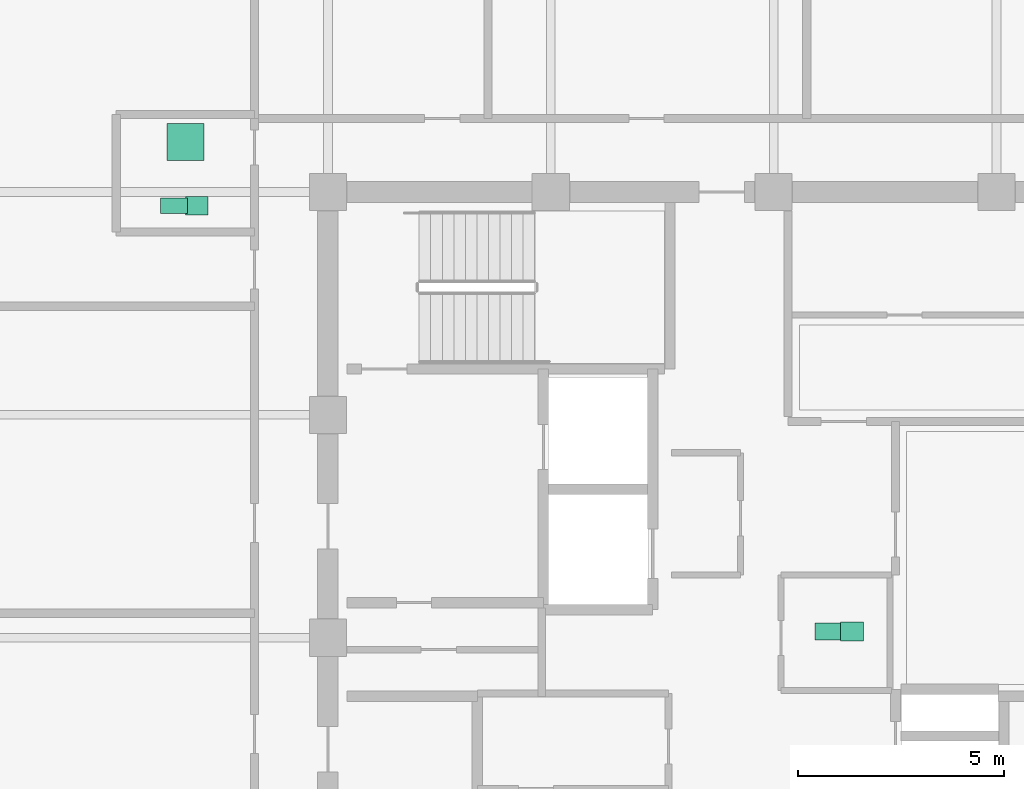
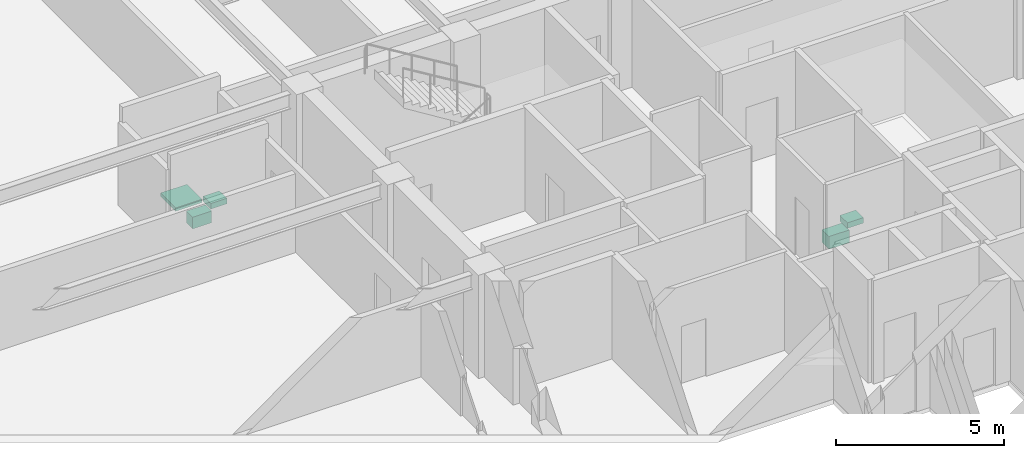
# One storey, part 31 of 31: 5 sanitary terminals.
"""IFC4 building model written with IfcOpenShell, lengths in metres."""

from ifc_helpers import new_model, si_unit, direction, frame, origin, origin_2d, place, context, subcontext, project, spatial, rectangle, extrude, material, type_object, element, save


model = new_model("IFC4")

# Units and contexts
model_context = context("Model", 3, precision=1e-05, world=origin(), true_north=direction((0.0, 1.0)))
body_context = subcontext(model_context, "Body", "Model", "MODEL_VIEW")
ifc_project = project(units=[si_unit("LENGTHUNIT", "METRE"), si_unit("AREAUNIT", "SQUARE_METRE"), si_unit("VOLUMEUNIT", "CUBIC_METRE"), si_unit("PLANEANGLEUNIT", "RADIAN"), si_unit("MASSUNIT", "GRAM", prefix="KILO")], contexts=[model_context])

# Site, building, storey
site_placement = place(None, origin())
site = spatial("IfcSite", under=ifc_project, at=site_placement, CompositionType="ELEMENT")
building_placement = place(site_placement, origin())
building = spatial("IfcBuilding", under=site, at=building_placement, Name="Surkhivell Harbour Commons", CompositionType="ELEMENT")
storey_placement = place(building_placement, frame((0.0, 0.0, 270.0)))
storey = spatial("IfcBuildingStorey", under=building, at=storey_placement, Name="L70", CompositionType="ELEMENT", Elevation=270.0)

# Sanitary terminals
ifc_material_1 = material(Name="Vitreous china washbasin", Category="other")
sanitary_terminal_type_1 = type_object("IfcSanitaryTerminalType", Name="SAN-BSN", PredefinedType="WASHHANDBASIN", material=ifc_material_1)
for number, where, z_axis, x_axis, name in (
    (1, (1.89990234375, 0.14990234375, 0.72021484375), (0.0, 0.0, 1.0), (1.0, 0.0, 0.0), "L70 Core Accessible WC Washbasin"),
    (2, (-13.97998046875, 10.469970703125, 0.72021484375), (0.0, 0.0, 1.0), (1.0, 0.0, 0.0), "L70 West Communal Bathroom WC Washbasin"),
):
    element("IfcSanitaryTerminal", number, at=place(storey_placement, frame(where, z_axis=z_axis, x_axis=x_axis)), inside=storey, type_object=sanitary_terminal_type_1, Name=name, PredefinedType="WASHHANDBASIN", context=body_context, shape_type="SweptSolid", body=[
        extrude(rectangle(XDim=0.550048828125, YDim=0.449951171875, at=origin_2d()), origin(), (0.0, 0.0, 1.0), 0.199951171875),
    ])
ifc_material_2 = material(Name="Glazed porcelain shower tray", Category="other")
sanitary_terminal_type_2 = type_object("IfcSanitaryTerminalType", Name="SAN-SHW", PredefinedType="SHOWER", material=ifc_material_2)
sanitary_terminal_1_placement = place(storey_placement, frame((-14.25, 12.010009765625, 0.0), z_axis=(0.0, 0.0, 1.0), x_axis=(1.0, 0.0, 0.0)))
element("IfcSanitaryTerminal", 3, at=sanitary_terminal_1_placement, inside=storey, type_object=sanitary_terminal_type_2, Name="L70 West Communal Shower Tray", PredefinedType="SHOWER", context=body_context, shape_type="SweptSolid", body=[
    extrude(rectangle(XDim=0.89990234375, YDim=0.89990234375, at=origin_2d()), origin(), (0.0, 0.0, 1.0), 0.1201171875),
])
ifc_material_3 = material(Name="Vitreous china sanitaryware", Category="other")
sanitary_terminal_type_3 = type_object("IfcSanitaryTerminalType", Name="SAN-WC-ACC", PredefinedType="TOILETPAN", material=ifc_material_3)
sanitary_terminal_2_placement = place(storey_placement, frame((1.35009765625, 0.14990234375, 0.169921875), z_axis=(0.0, 0.0, 1.0), x_axis=(1.0, 0.0, 0.0)))
element("IfcSanitaryTerminal", 4, at=sanitary_terminal_2_placement, inside=storey, type_object=sanitary_terminal_type_3, Name="L70 Core Accessible WC", PredefinedType="TOILETPAN", context=body_context, shape_type="SweptSolid", body=[
    extrude(rectangle(XDim=0.699951171875, YDim=0.419921875, at=origin_2d()), origin(), (0.0, 0.0, 1.0), 0.4599609375),
])
sanitary_terminal_type_4 = type_object("IfcSanitaryTerminalType", Name="SAN-WC-STD", PredefinedType="TOILETPAN", material=ifc_material_3)
sanitary_terminal_3_placement = place(storey_placement, frame((-14.530029296875, 10.469970703125, 0.18994140625), z_axis=(0.0, 0.0, 1.0), x_axis=(1.0, 0.0, 0.0)))
element("IfcSanitaryTerminal", 5, at=sanitary_terminal_3_placement, inside=storey, type_object=sanitary_terminal_type_4, Name="L70 West Communal Bathroom WC", PredefinedType="TOILETPAN", context=body_context, shape_type="SweptSolid", body=[
    extrude(rectangle(XDim=0.64990234375, YDim=0.3798828125, at=origin_2d()), origin(), (0.0, 0.0, 1.0), 0.419921875),
])

save(model, "model.ifc")
